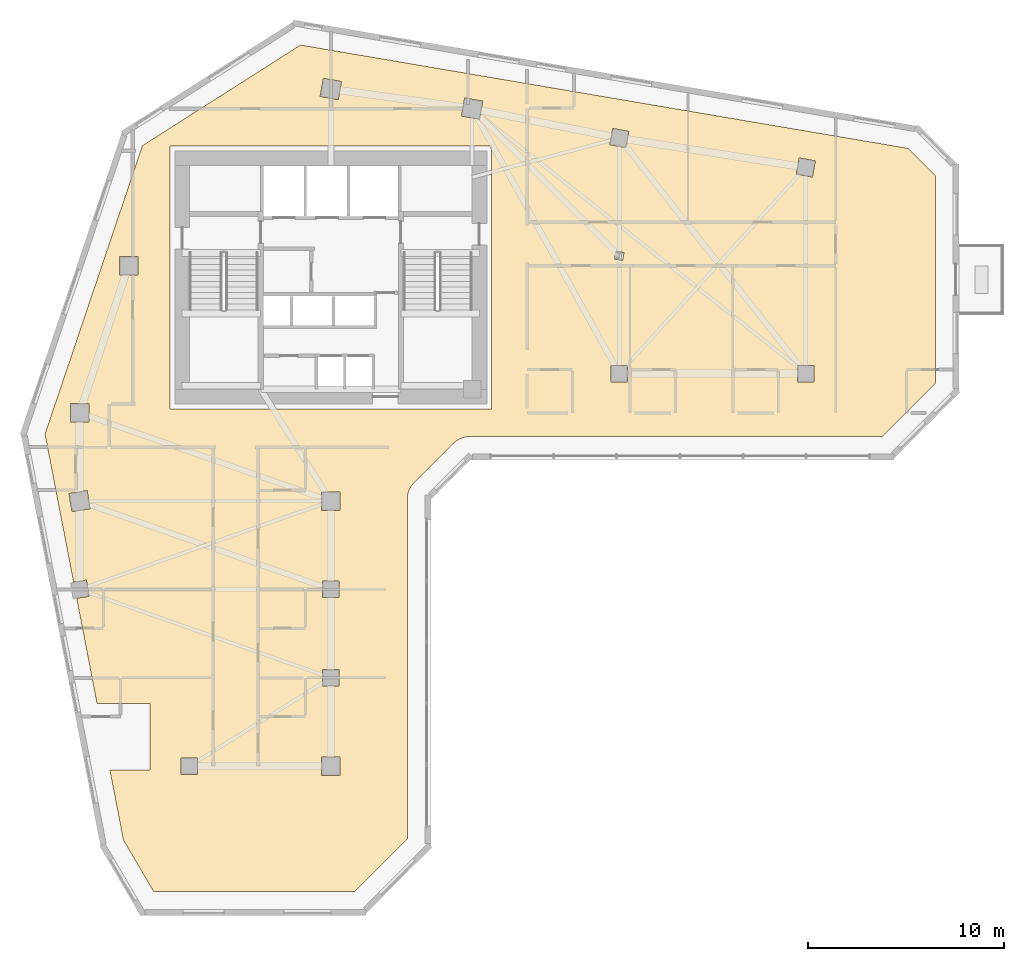
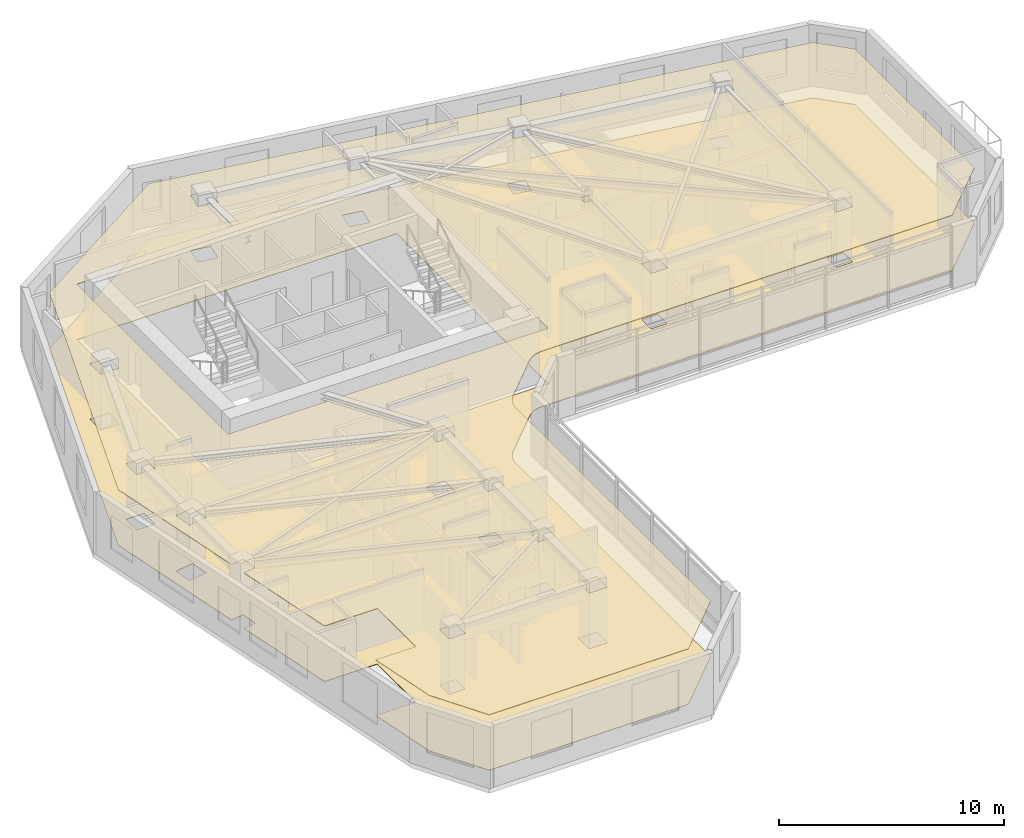
# One storey, part 11 of 14: 2 coverings.
"""IFC4 building model written with IfcOpenShell, lengths in metres."""

from ifc_helpers import new_model, si_unit, direction, frame, origin, place, context, subcontext, project, spatial, polyline, outline, extrude, material, layer, layer_set, type_object, element, save


model = new_model("IFC4")

# Units and contexts
model_context = context("Model", 3, precision=1e-05, world=origin(), true_north=direction((0.0, 1.0)))
body_context = subcontext(model_context, "Body", "Model", "MODEL_VIEW")
ifc_project = project(units=[si_unit("LENGTHUNIT", "METRE"), si_unit("AREAUNIT", "SQUARE_METRE"), si_unit("VOLUMEUNIT", "CUBIC_METRE"), si_unit("PLANEANGLEUNIT", "RADIAN"), si_unit("MASSUNIT", "GRAM", prefix="KILO")], contexts=[model_context])

# Site, building, storey
site_placement = place(None, origin())
site = spatial("IfcSite", under=ifc_project, at=site_placement, CompositionType="ELEMENT")
building_placement = place(site_placement, origin())
building = spatial("IfcBuilding", under=site, at=building_placement, Name="Calvemar Wedge Station Tower", CompositionType="ELEMENT")
storey_placement = place(building_placement, frame((0.0, 0.0, 128.60009765625)))
storey = spatial("IfcBuildingStorey", under=building, at=storey_placement, Name="L31", CompositionType="ELEMENT", Elevation=128.60009765625)

# Coverings
ifc_material_1 = material(Name="Acoustic mineral fibre ceiling board")
ifc_layer_1 = layer(ifc_material_1, 0.0400390625)
ifc_layer_set_1 = layer_set([ifc_layer_1], Name="Acoustic mineral fibre ceiling board")
covering_type_1 = type_object("IfcCoveringType", Name="COV-CEIL-ACOUSTIC", PredefinedType="CEILING", material=ifc_layer_set_1)
covering_1_placement = place(storey_placement, frame((0.0, 0.0, 3.0)))
element("IfcCovering", 1, at=covering_1_placement, inside=storey, type_object=covering_type_1, Name="Storey L31 Acoustic Suspended Ceiling", PredefinedType="CEILING", context=body_context, shape_type="SweptSolid", body=[
    extrude(outline(polyline([(28.047607421875, 29.4404296875), (30.047607421875, 31.4404296875), (30.134765625, 31.51953125), (30.229248046875, 31.58984375), (30.330322265625, 31.650390625), (30.436767578125, 31.70068359375), (30.547607421875, 31.740234375), (30.661865234375, 31.768798828125), (30.7783203125, 31.7861328125), (30.89599609375, 31.7919921875), (51.90283203125, 31.7919921875), (54.60009765625, 34.489013671875), (54.60009765625, 45.094970703125), (53.221923828125, 46.47314453125), (22.25439453125, 51.739501953125), (14.201416015625, 46.614990234375), (9.23828125, 31.91650390625), (10.695068359375, 24.37646484375), (11.348388671875, 24.481201171875), (11.481201171875, 23.651611328125), (10.8544921875, 23.55126953125), (11.888427734375, 18.199951171875), (14.60009765625, 18.199951171875), (14.60009765625, 14.800048828125), (12.54541015625, 14.800048828125), (13.235107421875, 11.23046875), (14.7822265625, 8.60009765625), (24.998779296875, 8.60009765625), (27.696044921875, 11.297119140625), (27.696044921875, 28.592041015625), (27.701904296875, 28.709716796875), (27.718994140625, 28.826171875), (27.747802734375, 28.940185546875), (27.787353515625, 29.05126953125), (27.837646484375, 29.15771484375), (27.898193359375, 29.2587890625), (27.968505859375, 29.353271484375), (28.047607421875, 29.4404296875)]), holes=[polyline([(15.60009765625, 46.60009765625), (32.0, 46.60009765625), (32.0, 33.199951171875), (15.60009765625, 33.199951171875), (15.60009765625, 46.60009765625)]), polyline([(10.530029296875, 32.530029296875), (10.530029296875, 33.469970703125), (11.469970703125, 33.469970703125), (11.469970703125, 32.530029296875), (10.530029296875, 32.530029296875)]), polyline([(13.030029296875, 40.969970703125), (13.969970703125, 40.969970703125), (13.969970703125, 40.030029296875), (13.030029296875, 40.030029296875), (13.030029296875, 40.969970703125)]), polyline([(24.345703125, 49.87939453125), (24.17919921875, 48.9541015625), (23.254150390625, 49.12060546875), (23.420654296875, 50.0458984375), (24.345703125, 49.87939453125)]), polyline([(31.37939453125, 47.9541015625), (30.4541015625, 48.12060546875), (30.62060546875, 49.0458984375), (31.5458984375, 48.87939453125), (31.37939453125, 47.9541015625)]), polyline([(38.01220703125, 46.660888671875), (38.160888671875, 47.48779296875), (38.98779296875, 47.339111328125), (38.839111328125, 46.51220703125), (38.01220703125, 46.660888671875)]), polyline([(47.660888671875, 45.98779296875), (48.48779296875, 45.839111328125), (48.339111328125, 45.01220703125), (47.51220703125, 45.160888671875), (47.660888671875, 45.98779296875)]), polyline([(38.919921875, 35.419921875), (38.919921875, 34.580078125), (38.080078125, 34.580078125), (38.080078125, 35.419921875), (38.919921875, 35.419921875)]), polyline([(48.419921875, 34.580078125), (47.580078125, 34.580078125), (47.580078125, 35.419921875), (48.419921875, 35.419921875), (48.419921875, 34.580078125)]), polyline([(38.259765625, 40.833984375), (38.332763671875, 41.239501953125), (38.740234375, 41.166015625), (38.667236328125, 40.760498046875), (38.259765625, 40.833984375)]), polyline([(11.389892578125, 29.038330078125), (11.538330078125, 28.110107421875), (10.610107421875, 27.961669921875), (10.461669921875, 28.889892578125), (11.389892578125, 29.038330078125)]), polyline([(24.27001953125, 28.030029296875), (23.330078125, 28.030029296875), (23.330078125, 28.969970703125), (24.27001953125, 28.969970703125), (24.27001953125, 28.030029296875)]), polyline([(23.3798828125, 23.580078125), (23.3798828125, 24.419921875), (24.219970703125, 24.419921875), (24.219970703125, 23.580078125), (23.3798828125, 23.580078125)]), polyline([(23.3798828125, 19.919921875), (24.219970703125, 19.919921875), (24.219970703125, 19.080078125), (23.3798828125, 19.080078125), (23.3798828125, 19.919921875)]), polyline([(24.27001953125, 15.469970703125), (24.27001953125, 14.530029296875), (23.330078125, 14.530029296875), (23.330078125, 15.469970703125), (24.27001953125, 15.469970703125)]), polyline([(17.02001953125, 14.580078125), (16.179931640625, 14.580078125), (16.179931640625, 15.419921875), (17.02001953125, 15.419921875), (17.02001953125, 14.580078125)])]), origin(), (0.0, 0.0, 1.0), 0.039794921875),
])
ifc_material_2 = material(Name="Honed coastal granite stone tile", Category="masonry")
ifc_layer_2 = layer(ifc_material_2, 0.030029296875)
ifc_layer_set_2 = layer_set([ifc_layer_2], Name="Honed coastal granite stone tile")
covering_type_2 = type_object("IfcCoveringType", Name="COV-FLR-STONE", PredefinedType="FLOORING", material=ifc_layer_set_2)
covering_2_placement = place(storey_placement, origin())
element("IfcCovering", 2, at=covering_2_placement, inside=storey, type_object=covering_type_2, Name="Storey L31 Architectural Floor Finish", PredefinedType="FLOORING", context=body_context, shape_type="SweptSolid", body=[
    extrude(outline(polyline([(28.047607421875, 29.4404296875), (30.047607421875, 31.4404296875), (30.134765625, 31.51953125), (30.229248046875, 31.58984375), (30.330322265625, 31.650390625), (30.436767578125, 31.70068359375), (30.547607421875, 31.740234375), (30.661865234375, 31.768798828125), (30.7783203125, 31.7861328125), (30.89599609375, 31.7919921875), (51.90283203125, 31.7919921875), (54.60009765625, 34.489013671875), (54.60009765625, 45.094970703125), (53.221923828125, 46.47314453125), (22.25439453125, 51.739501953125), (14.201416015625, 46.614990234375), (9.23828125, 31.91650390625), (10.695068359375, 24.37646484375), (11.348388671875, 24.481201171875), (11.481201171875, 23.651611328125), (10.8544921875, 23.55126953125), (11.888427734375, 18.199951171875), (14.60009765625, 18.199951171875), (14.60009765625, 14.800048828125), (12.54541015625, 14.800048828125), (13.235107421875, 11.23046875), (14.7822265625, 8.60009765625), (24.998779296875, 8.60009765625), (27.696044921875, 11.297119140625), (27.696044921875, 28.592041015625), (27.701904296875, 28.709716796875), (27.718994140625, 28.826171875), (27.747802734375, 28.940185546875), (27.787353515625, 29.05126953125), (27.837646484375, 29.15771484375), (27.898193359375, 29.2587890625), (27.968505859375, 29.353271484375), (28.047607421875, 29.4404296875)]), holes=[polyline([(15.60009765625, 46.60009765625), (32.0, 46.60009765625), (32.0, 33.199951171875), (15.60009765625, 33.199951171875), (15.60009765625, 46.60009765625)]), polyline([(10.530029296875, 32.530029296875), (10.530029296875, 33.469970703125), (11.469970703125, 33.469970703125), (11.469970703125, 32.530029296875), (10.530029296875, 32.530029296875)]), polyline([(13.030029296875, 40.969970703125), (13.969970703125, 40.969970703125), (13.969970703125, 40.030029296875), (13.030029296875, 40.030029296875), (13.030029296875, 40.969970703125)]), polyline([(24.345703125, 49.87939453125), (24.17919921875, 48.9541015625), (23.254150390625, 49.12060546875), (23.420654296875, 50.0458984375), (24.345703125, 49.87939453125)]), polyline([(31.37939453125, 47.9541015625), (30.4541015625, 48.12060546875), (30.62060546875, 49.0458984375), (31.5458984375, 48.87939453125), (31.37939453125, 47.9541015625)]), polyline([(38.01220703125, 46.660888671875), (38.160888671875, 47.48779296875), (38.98779296875, 47.339111328125), (38.839111328125, 46.51220703125), (38.01220703125, 46.660888671875)]), polyline([(47.660888671875, 45.98779296875), (48.48779296875, 45.839111328125), (48.339111328125, 45.01220703125), (47.51220703125, 45.160888671875), (47.660888671875, 45.98779296875)]), polyline([(38.919921875, 35.419921875), (38.919921875, 34.580078125), (38.080078125, 34.580078125), (38.080078125, 35.419921875), (38.919921875, 35.419921875)]), polyline([(48.419921875, 34.580078125), (47.580078125, 34.580078125), (47.580078125, 35.419921875), (48.419921875, 35.419921875), (48.419921875, 34.580078125)]), polyline([(38.259765625, 40.833984375), (38.332763671875, 41.239501953125), (38.740234375, 41.166015625), (38.667236328125, 40.760498046875), (38.259765625, 40.833984375)]), polyline([(11.389892578125, 29.038330078125), (11.538330078125, 28.110107421875), (10.610107421875, 27.961669921875), (10.461669921875, 28.889892578125), (11.389892578125, 29.038330078125)]), polyline([(24.27001953125, 28.030029296875), (23.330078125, 28.030029296875), (23.330078125, 28.969970703125), (24.27001953125, 28.969970703125), (24.27001953125, 28.030029296875)]), polyline([(23.3798828125, 23.580078125), (23.3798828125, 24.419921875), (24.219970703125, 24.419921875), (24.219970703125, 23.580078125), (23.3798828125, 23.580078125)]), polyline([(23.3798828125, 19.919921875), (24.219970703125, 19.919921875), (24.219970703125, 19.080078125), (23.3798828125, 19.080078125), (23.3798828125, 19.919921875)]), polyline([(24.27001953125, 15.469970703125), (24.27001953125, 14.530029296875), (23.330078125, 14.530029296875), (23.330078125, 15.469970703125), (24.27001953125, 15.469970703125)]), polyline([(17.02001953125, 14.580078125), (16.179931640625, 14.580078125), (16.179931640625, 15.419921875), (17.02001953125, 15.419921875), (17.02001953125, 14.580078125)])]), origin(), (0.0, 0.0, 1.0), 0.02978515625),
])

save(model, "model.ifc")
